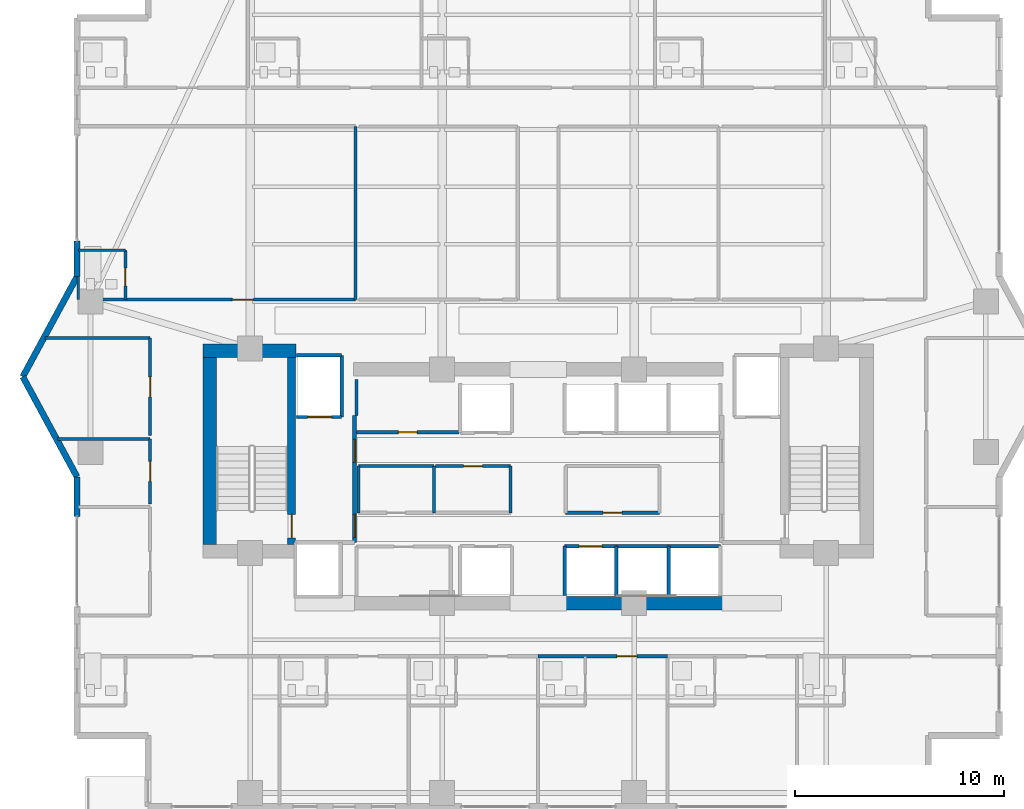
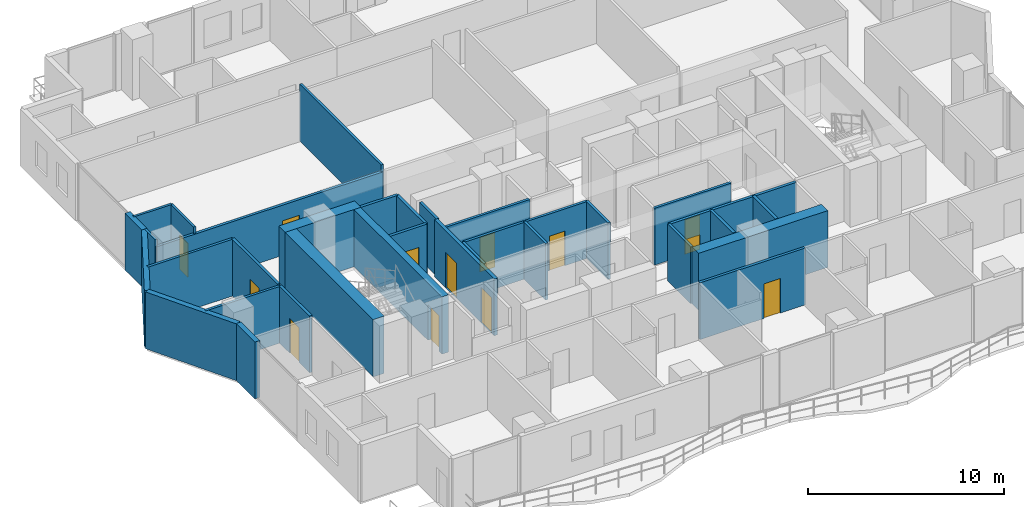
# One storey, part 25 of 32: 36 walls, 13 doors, 13 openings.
"""IFC4 building model written with IfcOpenShell, lengths in metres."""

from ifc_helpers import new_model, si_unit, direction, frame, frame_2d, origin, place, context, subcontext, project, spatial, rectangle, extrude, material, layer, layer_set, type_object, element, fill, save


model = new_model("IFC4")

# Units and contexts
model_context = context("Model", 3, precision=1e-05, world=origin(), true_north=direction((0.0, 1.0)))
body_context = subcontext(model_context, "Body", "Model", "MODEL_VIEW")
ifc_project = project(units=[si_unit("LENGTHUNIT", "METRE"), si_unit("AREAUNIT", "SQUARE_METRE"), si_unit("VOLUMEUNIT", "CUBIC_METRE"), si_unit("PLANEANGLEUNIT", "RADIAN"), si_unit("MASSUNIT", "GRAM", prefix="KILO")], contexts=[model_context])

# Site, building, storey
site_placement = place(None, origin())
site = spatial("IfcSite", under=ifc_project, at=site_placement, CompositionType="ELEMENT")
building_placement = place(site_placement, origin())
building = spatial("IfcBuilding", under=site, at=building_placement, Name="Zuhayl Quay Hotel", CompositionType="ELEMENT")
storey_placement = place(building_placement, frame((0.0, 0.0, 188.64990234375)))
storey = spatial("IfcBuildingStorey", under=building, at=storey_placement, Name="L47", CompositionType="ELEMENT", Elevation=188.64990234375)

# Walls
ifc_material_1 = material(Name="Concrete C50/60", Category="concrete")
ifc_layer_1 = layer(ifc_material_1, 0.64990234375, Name="Concrete C50/60", Category="concrete")
ifc_layer_set_1 = layer_set([ifc_layer_1], Name="Concrete C50/60")
wall_type_1 = type_object("IfcWallType", Name="WL_CORE_650", PredefinedType="SHEAR", material=ifc_layer_set_1)
wall_1_placement = place(storey_placement, frame((-16.06005859375, 14.2548828125, 0.0), z_axis=(0.0, 0.0, 1.0), x_axis=(1.0, 0.0, 0.0)))
element("IfcWall", 1, at=wall_1_placement, inside=storey, type_object=wall_type_1, Name="L47 Core Shear Wall CW_NW", PredefinedType="SHEAR", context=body_context, shape_type="SweptSolid", body=[
    extrude(rectangle(XDim=4.4599609375, YDim=0.64990234375, at=frame_2d((2.22998046875, 0.0))), origin(), (0.0, 0.0, 1.0), 3.56005859375),
])
wall_2_placement = place(storey_placement, frame((-15.735107421875, 4.969970703125, 0.0), z_axis=(0.0, 0.0, 1.0), x_axis=(0.0, 1.0, 0.0)))
element("IfcWall", 2, at=wall_2_placement, inside=storey, type_object=wall_type_1, Name="L47 Core Shear Wall CW_W", PredefinedType="SHEAR", context=body_context, shape_type="SweptSolid", body=[
    extrude(rectangle(XDim=8.9599609375, YDim=0.64990234375, at=frame_2d((4.47998046875, 0.0))), origin(), (0.0, 0.0, 1.0), 3.56005859375),
])
wall_3_placement = place(storey_placement, frame((1.25, 2.14990234375, 0.0), z_axis=(0.0, 0.0, 1.0), x_axis=(1.0, 0.0, 0.0)))
element("IfcWall", 3, at=wall_3_placement, inside=storey, type_object=wall_type_1, Name="L47 Core Shear Wall CW_SC_E", PredefinedType="SHEAR", context=body_context, shape_type="SweptSolid", body=[
    extrude(rectangle(XDim=7.60009765625, YDim=0.64990234375, at=frame_2d((3.800048828125, 0.0))), origin(), (0.0, 0.0, 1.0), 3.530029296875),
])
ifc_material_2 = material(Name="Precast concrete C45/55", Category="concrete")
ifc_layer_2 = layer(ifc_material_2, 0.300048828125, Name="Precast concrete C45/55", Category="concrete")
ifc_layer_set_2 = layer_set([ifc_layer_2], Name="Precast concrete C45/55")
wall_type_2 = type_object("IfcWallType", Name="WL_EXT_300", PredefinedType="STANDARD", material=ifc_layer_set_2)
wall_4_placement = place(storey_placement, frame((-22.10009765625, 6.300048828125, 0.0), z_axis=(0.0, 0.0, 1.0), x_axis=(0.0, 1.0, 0.0)))
element("IfcWall", 4, at=wall_4_placement, inside=storey, type_object=wall_type_2, Name="L47 Exterior Precast Wall ENV_L47_E02_EW2", PredefinedType="STANDARD", context=body_context, shape_type="SweptSolid", body=[
    extrude(rectangle(XDim=1.89990234375, YDim=0.300048828125, at=frame_2d((0.949951171875, 0.0))), origin(), (0.0, 0.0, 1.0), 3.530029296875),
])
for number, where, z_axis, x_axis, name in (
    (5, (-22.10009765625, 8.199951171875, 0.0), (0.0, 0.0, 1.0), (-0.476258655584, 0.879305233114, 0.0), "L47 Exterior Precast Wall ENV_L47_EW03"),
    (6, (-24.699951171875, 13.0, 0.0), (0.0, 0.0, 1.0), (0.476258655584, 0.879305233114, 0.0), "L47 Exterior Precast Wall ENV_L47_EW04"),
):
    element("IfcWall", number, at=place(storey_placement, frame(where, z_axis=z_axis, x_axis=x_axis)), inside=storey, type_object=wall_type_2, Name=name, PredefinedType="STANDARD", context=body_context, shape_type="SweptSolid", body=[
        extrude(rectangle(XDim=5.458984375, YDim=0.300048828125, at=frame_2d((2.7294921875, 0.0))), origin(), (0.0, 0.0, 1.0), 3.530029296875),
    ])
wall_5_placement = place(storey_placement, frame((-22.10009765625, 17.800048828125, 0.0), z_axis=(0.0, 0.0, 1.0), x_axis=(0.0, 1.0, 0.0)))
element("IfcWall", 7, at=wall_5_placement, inside=storey, type_object=wall_type_2, Name="L47 Exterior Precast Wall ENV_L47_E05_EW1", PredefinedType="STANDARD", context=body_context, shape_type="SweptSolid", body=[
    extrude(rectangle(XDim=1.7099609375, YDim=0.300048828125, at=frame_2d((0.85498046875, 0.0))), origin(), (0.0, 0.0, 1.0), 3.530029296875),
])

# Wall, opening, door
ifc_material_3 = material(Name="Acoustic Gypsum Partition STC-58")
ifc_layer_3 = layer(ifc_material_3, 0.14990234375, Name="Acoustic Gypsum Partition STC-58")
ifc_layer_set_3 = layer_set([ifc_layer_3], Name="Acoustic Gypsum Partition STC-58")
wall_type_3 = type_object("IfcWallType", Name="WL_PART_150", PredefinedType="PARTITIONING", material=ifc_layer_set_3)
wall_6_placement = place(storey_placement, frame((-8.7099609375, 10.340087890625, 0.0), z_axis=(0.0, 0.0, 1.0), x_axis=(1.0, 0.0, 0.0)))
wall_6 = element("IfcWall", 8, at=wall_6_placement, inside=storey, type_object=wall_type_3, Name="L47 Partition IW_L47_FLP_N_S", PredefinedType="PARTITIONING", context=body_context, shape_type="SweptSolid", body=[
    extrude(rectangle(XDim=4.919921875, YDim=0.14990234375, at=frame_2d((2.4599609375, 0.0))), origin(), (0.0, 0.0, 1.0), 3.530029296875),
])
opening_1_placement = place(wall_6_placement, frame((2.010009765625, 0.0, 0.0)))
opening_1 = element("IfcOpeningElement", 9, at=opening_1_placement, cuts=wall_6, Name="Opening D06", PredefinedType="OPENING", context=body_context, shape_type="SweptSolid", body=[
    extrude(rectangle(XDim=0.89990234375, YDim=2.14990234375, at=frame_2d((0.449951171875, 1.074951171875))), frame((0.0, 0.0849609375, 0.0), z_axis=(0.0, -1.0, 0.0), x_axis=(1.0, 0.0, 0.0)), (0.0, 0.0, 1.0), 0.169921875),
])
ifc_material_4 = material(Name="Steel ASTM A992 Grade 50", Category="steel")
door_type_1 = type_object("IfcDoorType", Name="DR_INT_900", OperationType="NOTDEFINED", PredefinedType="DOOR", material=ifc_material_4)
door_1_placement = place(opening_1_placement, origin())
door_1 = element("IfcDoor", 10, at=door_1_placement, inside=storey, type_object=door_type_1, Name="L47 Sky-Zone Valet Store Door", OperationType="SINGLE_SWING_LEFT", OverallHeight=2.14990234375, OverallWidth=0.89990234375, PredefinedType="DOOR", context=body_context, shape_type="SweptSolid", body=[
    extrude(rectangle(XDim=0.89990234375, YDim=2.14990234375, at=frame_2d((0.449951171875, 1.074951171875))), frame((0.0, 0.02490234375, 0.0), z_axis=(0.0, -1.0, 0.0), x_axis=(1.0, 0.0, 0.0)), (0.0, 0.0, 1.0), 0.050048828125),
])
fill(opening_1, door_1)

wall_7_placement = place(storey_placement, frame((-4.929931640625, 8.719970703125, 0.0), z_axis=(0.0, 0.0, 1.0), x_axis=(1.0, 0.0, 0.0)))
wall_7 = element("IfcWall", 11, at=wall_7_placement, inside=storey, type_object=wall_type_3, Name="L47 Partition IW_L47_CORE_BM_N", PredefinedType="PARTITIONING", context=body_context, shape_type="SweptSolid", body=[
    extrude(rectangle(XDim=3.60986328125, YDim=0.14990234375, at=frame_2d((1.804931640625, 0.0))), origin(), (0.0, 0.0, 1.0), 3.530029296875),
])
opening_2_placement = place(wall_7_placement, frame((1.35498046875, 0.0, 0.0)))
opening_2 = element("IfcOpeningElement", 12, at=opening_2_placement, cuts=wall_7, Name="Opening D06", PredefinedType="OPENING", context=body_context, shape_type="SweptSolid", body=[
    extrude(rectangle(XDim=0.89990234375, YDim=2.14990234375, at=frame_2d((0.449951171875, 1.074951171875))), frame((0.0, 0.0849609375, 0.0), z_axis=(0.0, -1.0, 0.0), x_axis=(1.0, 0.0, 0.0)), (0.0, 0.0, 1.0), 0.169921875),
])
door_2_placement = place(opening_2_placement, origin())
door_2 = element("IfcDoor", 13, at=door_2_placement, inside=storey, type_object=door_type_1, Name="L47 Telecom and BMS Closet Door", OperationType="SINGLE_SWING_LEFT", OverallHeight=2.14990234375, OverallWidth=0.89990234375, PredefinedType="DOOR", context=body_context, shape_type="SweptSolid", body=[
    extrude(rectangle(XDim=0.89990234375, YDim=2.14990234375, at=frame_2d((0.449951171875, 1.074951171875))), frame((0.0, 0.02490234375, 0.0), z_axis=(0.0, -1.0, 0.0), x_axis=(1.0, 0.0, 0.0)), (0.0, 0.0, 1.0), 0.050048828125),
])
fill(opening_2, door_2)

wall_8_placement = place(storey_placement, frame((1.320068359375, 6.47998046875, 0.0), z_axis=(0.0, 0.0, 1.0), x_axis=(1.0, 0.0, 0.0)))
wall_8 = element("IfcWall", 14, at=wall_8_placement, inside=storey, type_object=wall_type_3, Name="L47 Partition IW_L47_CORE_PN_S", PredefinedType="PARTITIONING", context=body_context, shape_type="SweptSolid", body=[
    extrude(rectangle(XDim=4.489990234375, YDim=0.14990234375, at=frame_2d((2.2451171875, 0.0))), origin(), (0.0, 0.0, 1.0), 3.530029296875),
])
opening_3_placement = place(wall_8_placement, frame((1.794921875, 0.0, 0.0)))
opening_3 = element("IfcOpeningElement", 15, at=opening_3_placement, cuts=wall_8, Name="Opening D06", PredefinedType="OPENING", context=body_context, shape_type="SweptSolid", body=[
    extrude(rectangle(XDim=0.89990234375, YDim=2.14990234375, at=frame_2d((0.449951171875, 1.074951171875))), frame((0.0, 0.0849609375, 0.0), z_axis=(0.0, -1.0, 0.0), x_axis=(1.0, 0.0, 0.0)), (0.0, 0.0, 1.0), 0.169921875),
])
door_3_placement = place(opening_3_placement, origin())
door_3 = element("IfcDoor", 16, at=door_3_placement, inside=storey, type_object=door_type_1, Name="L47 Core Ice and Pantry Room Door", OperationType="SINGLE_SWING_RIGHT", OverallHeight=2.14990234375, OverallWidth=0.89990234375, PredefinedType="DOOR", context=body_context, shape_type="SweptSolid", body=[
    extrude(rectangle(XDim=0.89990234375, YDim=2.14990234375, at=frame_2d((0.449951171875, 1.074951171875))), frame((0.0, 0.02490234375, 0.0), z_axis=(0.0, -1.0, 0.0), x_axis=(1.0, 0.0, 0.0)), (0.0, 0.0, 1.0), 0.050048828125),
])
fill(opening_3, door_3)

# Walls
wall_9_placement = place(storey_placement, frame((-8.7099609375, 11.14990234375, 0.0), z_axis=(0.0, 0.0, 1.0), x_axis=(0.0, 1.0, 0.0)))
element("IfcWall", 17, at=wall_9_placement, inside=storey, type_object=wall_type_3, Name="L47 Partition IW_L47_FLP_N_W", PredefinedType="PARTITIONING", context=body_context, shape_type="SweptSolid", body=[
    extrude(rectangle(XDim=1.710205078125, YDim=0.14990234375, at=frame_2d((0.85498046875, 0.0))), origin(), (0.0, 0.0, 1.0), 3.530029296875),
])
wall_10_placement = place(storey_placement, frame((-8.610107421875, 8.719970703125, 0.0), z_axis=(0.0, 0.0, 1.0), x_axis=(1.0, 0.0, 0.0)))
element("IfcWall", 18, at=wall_10_placement, inside=storey, type_object=wall_type_3, Name="L47 Partition IW_L47_CORE_SW_N", PredefinedType="PARTITIONING", context=body_context, shape_type="SweptSolid", body=[
    extrude(rectangle(XDim=3.6201171875, YDim=0.14990234375, at=frame_2d((1.81005859375, 0.0))), origin(), (0.0, 0.0, 1.0), 3.530029296875),
])
for number, where, z_axis, x_axis, name in (
    (19, (-8.610107421875, 6.47998046875, 0.0), (0.0, 0.0, 1.0), (0.0, 1.0, 0.0), "L47 Partition IW_L47_CORE_SW_W"),
    (20, (-4.989990234375, 6.47998046875, 0.0), (0.0, 0.0, 1.0), (0.0, 1.0, 0.0), "L47 Partition IW_L47_CORE_SW_E"),
    (21, (-1.320068359375, 6.47998046875, 0.0), (0.0, 0.0, 1.0), (0.0, 1.0, 0.0), "L47 Partition IW_L47_CORE_BM_E"),
):
    element("IfcWall", number, at=place(storey_placement, frame(where, z_axis=z_axis, x_axis=x_axis)), inside=storey, type_object=wall_type_3, Name=name, PredefinedType="PARTITIONING", context=body_context, shape_type="SweptSolid", body=[
        extrude(rectangle(XDim=2.239990234375, YDim=0.14990234375, at=frame_2d((1.1201171875, 0.0))), origin(), (0.0, 0.0, 1.0), 3.530029296875),
    ])
wall_11_placement = place(storey_placement, frame((-8.75, 16.699951171875, 0.0), z_axis=(0.0, 0.0, 1.0), x_axis=(0.0, 1.0, 0.0)))
element("IfcWall", 22, at=wall_11_placement, inside=storey, type_object=wall_type_3, Name="L47 Partition IW_L47_MU01_E", PredefinedType="PARTITIONING", context=body_context, shape_type="SweptSolid", body=[
    extrude(rectangle(XDim=8.300048828125, YDim=0.14990234375, at=frame_2d((4.14990234375, 0.0))), origin(), (0.0, 0.0, 1.0), 3.530029296875),
])
wall_12_placement = place(storey_placement, frame((-23.02587890625, 10.02001953125, 0.0), z_axis=(0.0, 0.0, 1.0), x_axis=(1.0, 0.0, 0.0)))
element("IfcWall", 23, at=wall_12_placement, inside=storey, type_object=wall_type_3, Name="L47 Partition IW_L47_WPROW_2_N", PredefinedType="PARTITIONING", context=body_context, shape_type="SweptSolid", body=[
    extrude(rectangle(XDim=4.42578125, YDim=0.14990234375, at=frame_2d((2.212890625, 0.0))), origin(), (0.0, 0.0, 1.0), 3.530029296875),
])
wall_13_placement = place(storey_placement, frame((-23.637939453125, 14.85009765625, 0.0), z_axis=(0.0, 0.0, 1.0), x_axis=(1.0, 0.0, 0.0)))
element("IfcWall", 24, at=wall_13_placement, inside=storey, type_object=wall_type_3, Name="L47 Partition IW_L47_WPROW_3_N", PredefinedType="PARTITIONING", context=body_context, shape_type="SweptSolid", body=[
    extrude(rectangle(XDim=5.037841796875, YDim=0.14990234375, at=frame_2d((2.51904296875, 0.0))), origin(), (0.0, 0.0, 1.0), 3.530029296875),
])

# Wall, opening, door
ifc_layer_4 = layer(ifc_material_3, 0.159912109375, Name="Acoustic Gypsum Partition STC-58")
ifc_layer_set_4 = layer_set([ifc_layer_4], Name="Acoustic Gypsum Partition STC-58")
wall_type_4 = type_object("IfcWallType", Name="WL_PART_CORR_160", PredefinedType="PARTITIONING", material=ifc_layer_set_4)
wall_14_placement = place(storey_placement, frame((-22.0400390625, 16.699951171875, 0.0), z_axis=(0.0, 0.0, 1.0), x_axis=(1.0, 0.0, 0.0)))
wall_14 = element("IfcWall", 25, at=wall_14_placement, inside=storey, type_object=wall_type_4, Name="L47 Partition IW_L47_MU01_COR", PredefinedType="PARTITIONING", context=body_context, shape_type="SweptSolid", body=[
    extrude(rectangle(XDim=13.2900390625, YDim=0.159912109375, at=frame_2d((6.64501953125, 0.0))), origin(), (0.0, 0.0, 1.0), 3.1240234375),
])
opening_4_placement = place(wall_14_placement, frame((7.389892578125, 0.0, 0.0)))
opening_4 = element("IfcOpeningElement", 26, at=opening_4_placement, cuts=wall_14, Name="Opening D03L", PredefinedType="OPENING", context=body_context, shape_type="SweptSolid", body=[
    extrude(rectangle(XDim=1.0, YDim=2.14990234375, at=frame_2d((0.5, 1.074951171875))), frame((0.0, 0.08984375, 0.0), z_axis=(0.0, -1.0, 0.0), x_axis=(1.0, 0.0, 0.0)), (0.0, 0.0, 1.0), 0.179931640625),
])
ifc_material_5 = material(Name="Solid Walnut Acoustic Fire Door")
door_type_2 = type_object("IfcDoorType", Name="DR_SUITE_1000", OperationType="NOTDEFINED", PredefinedType="DOOR", material=ifc_material_5)
door_4_placement = place(opening_4_placement, origin())
door_4 = element("IfcDoor", 27, at=door_4_placement, inside=storey, type_object=door_type_2, Name="L47 West Spa Corner Suite L47-M1 Entrance Door", OperationType="SINGLE_SWING_RIGHT", OverallHeight=2.14990234375, OverallWidth=1.0, PredefinedType="DOOR", context=body_context, shape_type="SweptSolid", body=[
    extrude(rectangle(XDim=1.0, YDim=2.14990234375, at=frame_2d((0.5, 1.074951171875))), frame((0.0, 0.02490234375, 0.0), z_axis=(0.0, -1.0, 0.0), x_axis=(1.0, 0.0, 0.0)), (0.0, 0.0, 1.0), 0.050048828125),
])
fill(opening_4, door_4)

wall_15_placement = place(storey_placement, frame((0.0, -0.39990234375, 0.0), z_axis=(0.0, 0.0, 1.0), x_axis=(1.0, 0.0, 0.0)))
wall_15 = element("IfcWall", 28, at=wall_15_placement, inside=storey, type_object=wall_type_4, Name="L47 Partition IW_L47_SU04_COR", PredefinedType="PARTITIONING", context=body_context, shape_type="SweptSolid", body=[
    extrude(rectangle(XDim=6.199951171875, YDim=0.159912109375, at=frame_2d((3.10009765625, 0.0))), origin(), (0.0, 0.0, 1.0), 3.530029296875),
])
opening_5_placement = place(wall_15_placement, frame((3.77490234375, 0.0, 0.0)))
opening_5 = element("IfcOpeningElement", 29, at=opening_5_placement, cuts=wall_15, Name="Opening D03", PredefinedType="OPENING", context=body_context, shape_type="SweptSolid", body=[
    extrude(rectangle(XDim=0.949951171875, YDim=2.14990234375, at=frame_2d((0.47509765625, 1.074951171875))), frame((0.0, 0.08984375, 0.0), z_axis=(0.0, -1.0, 0.0), x_axis=(1.0, 0.0, 0.0)), (0.0, 0.0, 1.0), 0.179931640625),
])
door_type_3 = type_object("IfcDoorType", Name="DR_SUITE_950", OperationType="NOTDEFINED", PredefinedType="DOOR", material=ifc_material_5)
door_5_placement = place(opening_5_placement, origin())
door_5 = element("IfcDoor", 30, at=door_5_placement, inside=storey, type_object=door_type_3, Name="L47 Premier Twin Guest Room L47-04 Entrance Door", OperationType="SINGLE_SWING_LEFT", OverallHeight=2.14990234375, OverallWidth=0.949951171875, PredefinedType="DOOR", context=body_context, shape_type="SweptSolid", body=[
    extrude(rectangle(XDim=0.949951171875, YDim=2.14990234375, at=frame_2d((0.47509765625, 1.074951171875))), frame((0.0, 0.02490234375, 0.0), z_axis=(0.0, -1.0, 0.0), x_axis=(1.0, 0.0, 0.0)), (0.0, 0.0, 1.0), 0.050048828125),
])
fill(opening_5, door_5)

wall_16_placement = place(storey_placement, frame((-18.60009765625, 6.909912109375, 0.0), z_axis=(0.0, 0.0, 1.0), x_axis=(0.0, 1.0, 0.0)))
wall_16 = element("IfcWall", 31, at=wall_16_placement, inside=storey, type_object=wall_type_4, Name="L47 Partition IW_L47_WPROW_2_E", PredefinedType="PARTITIONING", context=body_context, shape_type="SweptSolid", body=[
    extrude(rectangle(XDim=3.110107421875, YDim=0.159912109375, at=frame_2d((1.55517578125, 0.0))), origin(), (0.0, 0.0, 1.0), 3.530029296875),
])
opening_6_placement = place(wall_16_placement, frame((1.080078125, 0.0, 0.0)))
opening_6 = element("IfcOpeningElement", 32, at=opening_6_placement, cuts=wall_16, Name="Opening D03", PredefinedType="OPENING", context=body_context, shape_type="SweptSolid", body=[
    extrude(rectangle(XDim=0.949951171875, YDim=2.14990234375, at=frame_2d((0.47509765625, 1.074951171875))), frame((0.0, 0.08984375, 0.0), z_axis=(0.0, -1.0, 0.0), x_axis=(1.0, 0.0, 0.0)), (0.0, 0.0, 1.0), 0.179931640625),
])
door_6_placement = place(opening_6_placement, origin())
door_6 = element("IfcDoor", 33, at=door_6_placement, inside=storey, type_object=door_type_3, Name="L47 Sunset Tea Salon L47 Door", OperationType="SINGLE_SWING_LEFT", OverallHeight=2.14990234375, OverallWidth=0.949951171875, PredefinedType="DOOR", context=body_context, shape_type="SweptSolid", body=[
    extrude(rectangle(XDim=0.949951171875, YDim=2.14990234375, at=frame_2d((0.47509765625, 1.074951171875))), frame((0.0, 0.02490234375, 0.0), z_axis=(0.0, -1.0, 0.0), x_axis=(1.0, 0.0, 0.0)), (0.0, 0.0, 1.0), 0.050048828125),
])
fill(opening_6, door_6)

wall_17_placement = place(storey_placement, frame((-18.60009765625, 10.179931640625, 0.0), z_axis=(0.0, 0.0, 1.0), x_axis=(0.0, 1.0, 0.0)))
wall_17 = element("IfcWall", 34, at=wall_17_placement, inside=storey, type_object=wall_type_4, Name="L47 Partition IW_L47_WPROW_3_E", PredefinedType="PARTITIONING", context=body_context, shape_type="SweptSolid", body=[
    extrude(rectangle(XDim=4.670166015625, YDim=0.159912109375, at=frame_2d((2.3349609375, 0.0))), origin(), (0.0, 0.0, 1.0), 3.530029296875),
])
opening_7_placement = place(wall_17_placement, frame((1.860107421875, 0.0, 0.0)))
opening_7 = element("IfcOpeningElement", 35, at=opening_7_placement, cuts=wall_17, Name="Opening D03", PredefinedType="OPENING", context=body_context, shape_type="SweptSolid", body=[
    extrude(rectangle(XDim=0.949951171875, YDim=2.14990234375, at=frame_2d((0.47509765625, 1.074951171875))), frame((0.0, 0.08984375, 0.0), z_axis=(0.0, -1.0, 0.0), x_axis=(1.0, 0.0, 0.0)), (0.0, 0.0, 1.0), 0.179931640625),
])
door_7_placement = place(opening_7_placement, origin())
door_7 = element("IfcDoor", 36, at=door_7_placement, inside=storey, type_object=door_type_3, Name="L47 West Horizon Salon L47 Door", OperationType="SINGLE_SWING_RIGHT", OverallHeight=2.14990234375, OverallWidth=0.949951171875, PredefinedType="DOOR", context=body_context, shape_type="SweptSolid", body=[
    extrude(rectangle(XDim=0.949951171875, YDim=2.14990234375, at=frame_2d((0.47509765625, 1.074951171875))), frame((0.0, 0.02490234375, 0.0), z_axis=(0.0, -1.0, 0.0), x_axis=(1.0, 0.0, 0.0)), (0.0, 0.0, 1.0), 0.050048828125),
])
fill(opening_7, door_7)

ifc_material_6 = material(Name="Moisture-Resistant Sanitarychase Gypsum")
ifc_layer_5 = layer(ifc_material_6, 0.135009765625, Name="Moisture-Resistant Sanitarychase Gypsum")
ifc_layer_set_5 = layer_set([ifc_layer_5], Name="Moisture-Resistant Sanitarychase Gypsum")
wall_type_5 = type_object("IfcWallType", Name="WL_PART_PLUMB_150", PredefinedType="PLUMBINGWALL", material=ifc_layer_set_5)
wall_18_placement = place(storey_placement, frame((-19.780029296875, 16.699951171875, 0.0), z_axis=(0.0, 0.0, 1.0), x_axis=(0.0, 1.0, 0.0)))
wall_18 = element("IfcWall", 37, at=wall_18_placement, inside=storey, type_object=wall_type_5, Name="L47 Partition IW_L47_MU01_BE", PredefinedType="PLUMBINGWALL", context=body_context, shape_type="SweptSolid", body=[
    extrude(rectangle(XDim=2.360107421875, YDim=0.135009765625, at=frame_2d((1.18017578125, 0.0))), origin(), (0.0, 0.0, 1.0), 3.530029296875),
])
opening_8_placement = place(wall_18_placement, frame((0.64990234375, 0.0, 0.0)))
opening_8 = element("IfcOpeningElement", 38, at=opening_8_placement, cuts=wall_18, Name="Opening D04", PredefinedType="OPENING", context=body_context, shape_type="SweptSolid", body=[
    extrude(rectangle(XDim=0.85009765625, YDim=2.10009765625, at=frame_2d((0.425048828125, 1.050048828125))), frame((0.0, 0.077392578125, 0.0), z_axis=(0.0, -1.0, 0.0), x_axis=(1.0, 0.0, 0.0)), (0.0, 0.0, 1.0), 0.155029296875),
])
ifc_material_7 = material(Name="Moisture-Resistant Walnut Veneer")
door_type_4 = type_object("IfcDoorType", Name="DR_BATH_850", OperationType="NOTDEFINED", PredefinedType="DOOR", material=ifc_material_7)
door_8_placement = place(opening_8_placement, origin())
door_8 = element("IfcDoor", 39, at=door_8_placement, inside=storey, type_object=door_type_4, Name="L47 West Spa Corner Suite L47-M1 En-Suite Door", OperationType="SINGLE_SWING_LEFT", OverallHeight=2.10009765625, OverallWidth=0.85009765625, PredefinedType="DOOR", context=body_context, shape_type="SweptSolid", body=[
    extrude(rectangle(XDim=0.85009765625, YDim=2.10009765625, at=frame_2d((0.425048828125, 1.050048828125))), frame((0.0, 0.02490234375, 0.0), z_axis=(0.0, -1.0, 0.0), x_axis=(1.0, 0.0, 0.0)), (0.0, 0.0, 1.0), 0.050048828125),
])
fill(opening_8, door_8)

# Walls
wall_19_placement = place(storey_placement, frame((-22.0400390625, 19.06005859375, 0.0), z_axis=(0.0, 0.0, 1.0), x_axis=(1.0, 0.0, 0.0)))
element("IfcWall", 40, at=wall_19_placement, inside=storey, type_object=wall_type_5, Name="L47 Partition IW_L47_MU01_BN", PredefinedType="PLUMBINGWALL", context=body_context, shape_type="SweptSolid", body=[
    extrude(rectangle(XDim=2.260009765625, YDim=0.135009765625, at=frame_2d((1.1298828125, 0.0))), origin(), (0.0, 0.0, 1.0), 3.530029296875),
])
wall_20_placement = place(storey_placement, frame((-22.0400390625, 16.699951171875, 0.0), z_axis=(0.0, 0.0, 1.0), x_axis=(0.0, 1.0, 0.0)))
element("IfcWall", 41, at=wall_20_placement, inside=storey, type_object=wall_type_5, Name="L47 Partition IW_L47_MU01_BW", PredefinedType="PLUMBINGWALL", context=body_context, shape_type="SweptSolid", body=[
    extrude(rectangle(XDim=1.10009765625, YDim=0.135009765625, at=frame_2d((0.550048828125, 0.0))), origin(), (0.0, 0.0, 1.0), 3.530029296875),
])

# Wall, opening, door
ifc_material_8 = material(Name="Gypsum Fireboard Assembly EI-90")
ifc_layer_6 = layer(ifc_material_8, 0.1650390625, Name="Gypsum Fireboard Assembly EI-90")
ifc_layer_set_6 = layer_set([ifc_layer_6], Name="Gypsum Fireboard Assembly EI-90")
wall_type_6 = type_object("IfcWallType", Name="WL_PART_SHAFT_160", PredefinedType="PARTITIONING", material=ifc_layer_set_6)
wall_21_placement = place(storey_placement, frame((-11.580078125, 11.070068359375, 0.0), z_axis=(0.0, 0.0, 1.0), x_axis=(1.0, 0.0, 0.0)))
wall_21 = element("IfcWall", 42, at=wall_21_placement, inside=storey, type_object=wall_type_6, Name="L47 Partition IW_L47_SH_FL1_F", PredefinedType="PARTITIONING", context=body_context, shape_type="SweptSolid", body=[
    extrude(rectangle(XDim=2.16015625, YDim=0.1650390625, at=frame_2d((1.080078125, 0.0))), origin(), (0.0, 0.0, 1.0), 3.530029296875),
])
opening_9_placement = place(wall_21_placement, frame((0.530029296875, 0.0, 0.0)))
opening_9 = element("IfcOpeningElement", 43, at=opening_9_placement, cuts=wall_21, Name="Opening LD2", PredefinedType="OPENING", context=body_context, shape_type="SweptSolid", body=[
    extrude(rectangle(XDim=1.14990234375, YDim=2.25, at=frame_2d((0.574951171875, 1.125))), frame((0.0, 0.092529296875, 0.0), z_axis=(0.0, -1.0, 0.0), x_axis=(1.0, 0.0, 0.0)), (0.0, 0.0, 1.0), 0.18505859375),
])
ifc_material_9 = material(Name="Brushed Stainless Steel", Category="steel")
door_type_5 = type_object("IfcDoorType", Name="DR_LIFT_FF_1100", OperationType="SLIDING_TO_LEFT", PredefinedType="DOOR", material=ifc_material_9)
door_9_placement = place(opening_9_placement, origin())
door_9 = element("IfcDoor", 44, at=door_9_placement, inside=storey, type_object=door_type_5, Name="L47 Lift FL1 Sliding Landing Door", OperationType="SLIDING_TO_LEFT", OverallHeight=2.25, OverallWidth=1.14990234375, PredefinedType="DOOR", context=body_context, shape_type="SweptSolid", body=[
    extrude(rectangle(XDim=1.14990234375, YDim=2.25, at=frame_2d((0.574951171875, 1.125))), frame((0.0, 0.02490234375, 0.0), z_axis=(0.0, -1.0, 0.0), x_axis=(1.0, 0.0, 0.0)), (0.0, 0.0, 1.0), 0.050048828125),
])
fill(opening_9, door_9)

wall_22_placement = place(storey_placement, frame((1.27001953125, 4.8798828125, 0.0), z_axis=(0.0, 0.0, 1.0), x_axis=(1.0, 0.0, 0.0)))
wall_22 = element("IfcWall", 45, at=wall_22_placement, inside=storey, type_object=wall_type_6, Name="L47 Partition IW_L47_SH_MP2_F", PredefinedType="PARTITIONING", context=body_context, shape_type="SweptSolid", body=[
    extrude(rectangle(XDim=2.47998046875, YDim=0.1650390625, at=frame_2d((1.239990234375, 0.0))), origin(), (0.0, 0.0, 1.0), 3.530029296875),
])
opening_10_placement = place(wall_22_placement, frame((0.68994140625, 0.0, 0.0)))
opening_10 = element("IfcOpeningElement", 46, at=opening_10_placement, cuts=wall_22, Name="Opening LD1", PredefinedType="OPENING", context=body_context, shape_type="SweptSolid", body=[
    extrude(rectangle(XDim=1.10009765625, YDim=2.25, at=frame_2d((0.550048828125, 1.125))), frame((0.0, 0.092529296875, 0.0), z_axis=(0.0, -1.0, 0.0), x_axis=(1.0, 0.0, 0.0)), (0.0, 0.0, 1.0), 0.18505859375),
])
door_type_6 = type_object("IfcDoorType", Name="DR_LIFT_PASS_1100", OperationType="SLIDING_TO_LEFT", PredefinedType="DOOR", material=ifc_material_9)
door_10_placement = place(opening_10_placement, origin())
door_10 = element("IfcDoor", 47, at=door_10_placement, inside=storey, type_object=door_type_6, Name="L47 Lift MP2 Sliding Landing Door", OperationType="SLIDING_TO_LEFT", OverallHeight=2.25, OverallWidth=1.10009765625, PredefinedType="DOOR", context=body_context, shape_type="SweptSolid", body=[
    extrude(rectangle(XDim=1.10009765625, YDim=2.25, at=frame_2d((0.550048828125, 1.125))), frame((0.0, 0.02490234375, 0.0), z_axis=(0.0, -1.0, 0.0), x_axis=(1.0, 0.0, 0.0)), (0.0, 0.0, 1.0), 0.050048828125),
])
fill(opening_10, door_10)

# Walls
wall_23_placement = place(storey_placement, frame((-9.419921875, 11.070068359375, 0.0), z_axis=(0.0, 0.0, 1.0), x_axis=(0.0, 1.0, 0.0)))
element("IfcWall", 48, at=wall_23_placement, inside=storey, type_object=wall_type_6, Name="L47 Partition IW_L47_SH_FL1_E", PredefinedType="PARTITIONING", context=body_context, shape_type="SweptSolid", body=[
    extrude(rectangle(XDim=2.9599609375, YDim=0.1650390625, at=frame_2d((1.47998046875, 0.0))), origin(), (0.0, 0.0, 1.0), 3.530029296875),
])
wall_24_placement = place(storey_placement, frame((-11.580078125, 14.030029296875, 0.0), z_axis=(0.0, 0.0, 1.0), x_axis=(1.0, 0.0, 0.0)))
element("IfcWall", 49, at=wall_24_placement, inside=storey, type_object=wall_type_6, Name="L47 Partition IW_L47_SH_FL1_B", PredefinedType="PARTITIONING", context=body_context, shape_type="SweptSolid", body=[
    extrude(rectangle(XDim=2.16015625, YDim=0.1650390625, at=frame_2d((1.080078125, 0.0))), origin(), (0.0, 0.0, 1.0), 3.530029296875),
])
for number, where, z_axis, x_axis, name in (
    (50, (1.27001953125, 2.52001953125, 0.0), (0.0, 0.0, 1.0), (0.0, 1.0, 0.0), "L47 Partition IW_L47_SH_MP2_W"),
    (51, (3.75, 2.52001953125, 0.0), (0.0, 0.0, 1.0), (0.0, 1.0, 0.0), "L47 Partition IW_L47_SH_MP2_E"),
):
    element("IfcWall", number, at=place(storey_placement, frame(where, z_axis=z_axis, x_axis=x_axis)), inside=storey, type_object=wall_type_6, Name=name, PredefinedType="PARTITIONING", context=body_context, shape_type="SweptSolid", body=[
        extrude(rectangle(XDim=2.35986328125, YDim=0.1650390625, at=frame_2d((1.179931640625, 0.0))), origin(), (0.0, 0.0, 1.0), 3.530029296875),
    ])
wall_25_placement = place(storey_placement, frame((3.75, 4.8798828125, 0.0), z_axis=(0.0, 0.0, 1.0), x_axis=(1.0, 0.0, 0.0)))
element("IfcWall", 52, at=wall_25_placement, inside=storey, type_object=wall_type_6, Name="L47 Partition IW_L47_SH_HP1_F", PredefinedType="PARTITIONING", context=body_context, shape_type="SweptSolid", body=[
    extrude(rectangle(XDim=2.5, YDim=0.1650390625, at=frame_2d((1.25, 0.0))), origin(), (0.0, 0.0, 1.0), 3.530029296875),
])
wall_26_placement = place(storey_placement, frame((6.25, 2.52001953125, 0.0), z_axis=(0.0, 0.0, 1.0), x_axis=(0.0, 1.0, 0.0)))
element("IfcWall", 53, at=wall_26_placement, inside=storey, type_object=wall_type_6, Name="L47 Partition IW_L47_SH_HP1_E", PredefinedType="PARTITIONING", context=body_context, shape_type="SweptSolid", body=[
    extrude(rectangle(XDim=2.35986328125, YDim=0.1650390625, at=frame_2d((1.179931640625, 0.0))), origin(), (0.0, 0.0, 1.0), 3.530029296875),
])
wall_27_placement = place(storey_placement, frame((6.25, 4.8798828125, 0.0), z_axis=(0.0, 0.0, 1.0), x_axis=(1.0, 0.0, 0.0)))
element("IfcWall", 54, at=wall_27_placement, inside=storey, type_object=wall_type_6, Name="L47 Partition IW_L47_SH_HP2_F", PredefinedType="PARTITIONING", context=body_context, shape_type="SweptSolid", body=[
    extrude(rectangle(XDim=2.47998046875, YDim=0.1650390625, at=frame_2d((1.239990234375, 0.0))), origin(), (0.0, 0.0, 1.0), 3.530029296875),
])

# Wall, openings, doors
ifc_material_10 = material(Name="Gypsum Fireboard Assembly EI-120")
ifc_layer_7 = layer(ifc_material_10, 0.199951171875, Name="Gypsum Fireboard Assembly EI-120")
ifc_layer_set_7 = layer_set([ifc_layer_7], Name="Gypsum Fireboard Assembly EI-120")
wall_type_7 = type_object("IfcWallType", Name="WL_PART_SHAFT_200", PredefinedType="PARTITIONING", material=ifc_layer_set_7)
wall_28_placement = place(storey_placement, frame((-8.800048828125, 5.050048828125, 0.0), z_axis=(0.0, 0.0, 1.0), x_axis=(0.0, 1.0, 0.0)))
wall_28 = element("IfcWall", 55, at=wall_28_placement, inside=storey, type_object=wall_type_7, Name="L47 Partition IW_L47_FSAE_W_E", PredefinedType="PARTITIONING", context=body_context, shape_type="SweptSolid", body=[
    extrude(rectangle(XDim=6.099853515625, YDim=0.199951171875, at=frame_2d((3.0498046875, 0.0))), origin(), (0.0, 0.0, 1.0), 3.530029296875),
])
opening_11_placement = place(wall_28_placement, frame((0.25, 0.0, 0.0)))
opening_11 = element("IfcOpeningElement", 56, at=opening_11_placement, cuts=wall_28, Name="Opening D02", PredefinedType="OPENING", context=body_context, shape_type="SweptSolid", body=[
    extrude(rectangle(XDim=1.10009765625, YDim=2.199951171875, at=frame_2d((0.550048828125, 1.10009765625))), frame((0.0, 0.10986328125, 0.0), z_axis=(0.0, -1.0, 0.0), x_axis=(1.0, 0.0, 0.0)), (0.0, 0.0, 1.0), 0.219970703125),
])
opening_12_placement = place(wall_28_placement, frame((3.85009765625, 0.0, 0.0)))
opening_12 = element("IfcOpeningElement", 57, at=opening_12_placement, cuts=wall_28, Name="Opening D02", PredefinedType="OPENING", context=body_context, shape_type="SweptSolid", body=[
    extrude(rectangle(XDim=1.10009765625, YDim=2.199951171875, at=frame_2d((0.550048828125, 1.10009765625))), frame((0.0, 0.10986328125, 0.0), z_axis=(0.0, -1.0, 0.0), x_axis=(1.0, 0.0, 0.0)), (0.0, 0.0, 1.0), 0.219970703125),
])
door_type_7 = type_object("IfcDoorType", Name="DR_FIRE_90_1100", OperationType="NOTDEFINED", PredefinedType="DOOR", material=ifc_material_4)
door_11_placement = place(opening_11_placement, origin())
door_11 = element("IfcDoor", 58, at=door_11_placement, inside=storey, type_object=door_type_7, Name="L47 FSAE Lobby West South Entry Door", OperationType="SINGLE_SWING_RIGHT", OverallHeight=2.199951171875, OverallWidth=1.10009765625, PredefinedType="DOOR", context=body_context, shape_type="SweptSolid", body=[
    extrude(rectangle(XDim=1.10009765625, YDim=2.199951171875, at=frame_2d((0.550048828125, 1.10009765625))), frame((0.0, 0.02490234375, 0.0), z_axis=(0.0, -1.0, 0.0), x_axis=(1.0, 0.0, 0.0)), (0.0, 0.0, 1.0), 0.050048828125),
])
fill(opening_11, door_11)
door_12_placement = place(opening_12_placement, origin())
door_12 = element("IfcDoor", 59, at=door_12_placement, inside=storey, type_object=door_type_7, Name="L47 FSAE Lobby West North Entry Door", OperationType="SINGLE_SWING_LEFT", OverallHeight=2.199951171875, OverallWidth=1.10009765625, PredefinedType="DOOR", context=body_context, shape_type="SweptSolid", body=[
    extrude(rectangle(XDim=1.10009765625, YDim=2.199951171875, at=frame_2d((0.550048828125, 1.10009765625))), frame((0.0, 0.02490234375, 0.0), z_axis=(0.0, -1.0, 0.0), x_axis=(1.0, 0.0, 0.0)), (0.0, 0.0, 1.0), 0.050048828125),
])
fill(opening_12, door_12)

# Wall, opening, door
ifc_material_11 = material(Name="Concrete C60/75", Category="concrete")
ifc_layer_8 = layer(ifc_material_11, 0.39990234375, Name="Concrete C60/75", Category="concrete")
ifc_layer_set_8 = layer_set([ifc_layer_8], Name="Concrete C60/75")
wall_type_8 = type_object("IfcWallType", Name="WL_STAIR_400", PredefinedType="SHEAR", material=ifc_layer_set_8)
wall_29_placement = place(storey_placement, frame((-11.820068359375, 4.969970703125, 0.0), z_axis=(0.0, 0.0, 1.0), x_axis=(0.0, 1.0, 0.0)))
wall_29 = element("IfcWall", 60, at=wall_29_placement, inside=storey, type_object=wall_type_8, Name="L47 Core Shear Wall SW_ST1", PredefinedType="SHEAR", context=body_context, shape_type="SweptSolid", body=[
    extrude(rectangle(XDim=8.9599609375, YDim=0.39990234375, at=frame_2d((4.47998046875, 0.0))), origin(), (0.0, 0.0, 1.0), 3.56005859375),
])
opening_13_placement = place(wall_29_placement, frame((0.31005859375, 0.0, 0.0)))
opening_13 = element("IfcOpeningElement", 61, at=opening_13_placement, cuts=wall_29, Name="Opening D01", PredefinedType="OPENING", context=body_context, shape_type="SweptSolid", body=[
    extrude(rectangle(XDim=1.1201171875, YDim=2.219970703125, at=frame_2d((0.56005859375, 1.10986328125))), frame((0.0, 0.2099609375, 0.0), z_axis=(0.0, -1.0, 0.0), x_axis=(1.0, 0.0, 0.0)), (0.0, 0.0, 1.0), 0.419921875),
])
door_type_8 = type_object("IfcDoorType", Name="DR_STAIR_90_1100", OperationType="NOTDEFINED", PredefinedType="DOOR", material=ifc_material_4)
door_13_placement = place(opening_13_placement, origin())
door_13 = element("IfcDoor", 62, at=door_13_placement, inside=storey, type_object=door_type_8, Name="L47 Smokeproof Exit Stair ST1 Door", OperationType="SINGLE_SWING_LEFT", OverallHeight=2.219970703125, OverallWidth=1.1201171875, PredefinedType="DOOR", context=body_context, shape_type="SweptSolid", body=[
    extrude(rectangle(XDim=1.1201171875, YDim=2.219970703125, at=frame_2d((0.56005859375, 1.10986328125))), frame((0.0, 0.02490234375, 0.0), z_axis=(0.0, -1.0, 0.0), x_axis=(1.0, 0.0, 0.0)), (0.0, 0.0, 1.0), 0.050048828125),
])
fill(opening_13, door_13)

save(model, "model.ifc")
